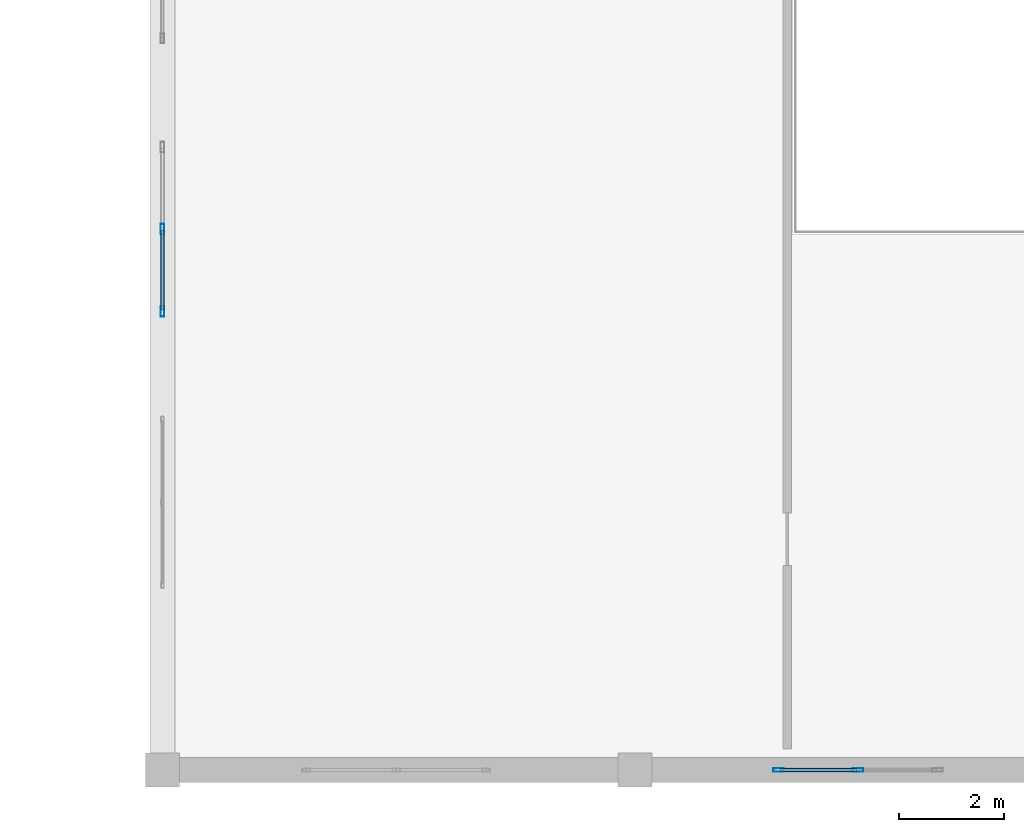
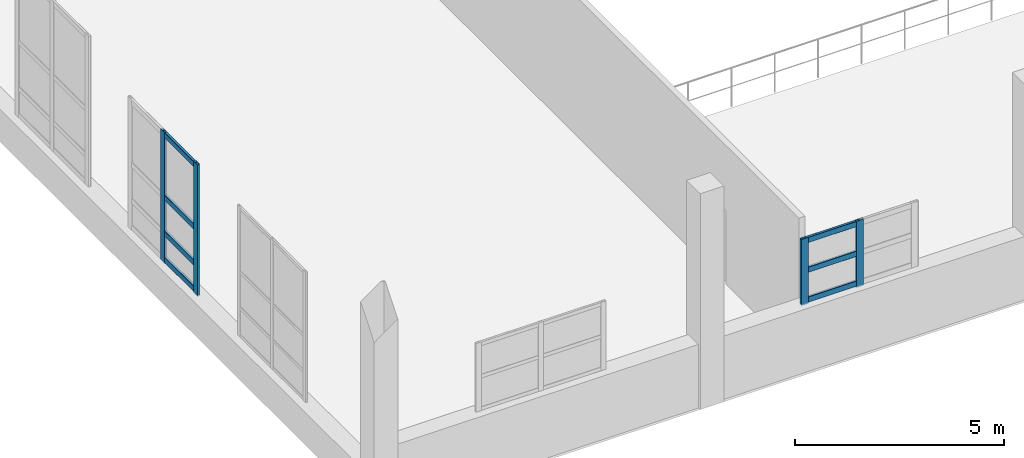
# One storey, part 10 of 197: 11 members, 2 elements without a shape of their own.
"""IFC4 building model written with IfcOpenShell, lengths in metres."""

from ifc_helpers import new_model, si_unit, derived_unit, direction, frame, origin, origin_2d, place, context, subcontext, project, spatial, hollow_rectangle, extrude, material, layer, layer_set, material_profile, profile_set, type_object, element, aggregate, save


model = new_model("IFC4")

# Units and contexts
model_context = context("Model", 3, precision=1e-05, world=origin(), true_north=direction((0.0, 1.0)))
body_context = subcontext(model_context, "Body", "Model", "MODEL_VIEW")
ifc_project = project(units=[si_unit("LENGTHUNIT", "METRE"), si_unit("AREAUNIT", "SQUARE_METRE"), si_unit("VOLUMEUNIT", "CUBIC_METRE"), si_unit("PLANEANGLEUNIT", "RADIAN"), si_unit("MASSUNIT", "GRAM", prefix="KILO"), derived_unit("THERMALTRANSMITTANCEUNIT", [(si_unit("POWERUNIT", "WATT"), 1), (si_unit("LENGTHUNIT", "METRE"), -2), (si_unit("THERMODYNAMICTEMPERATUREUNIT", "KELVIN"), -1)])], contexts=[model_context])

# Site, building, storey
site_placement = place(None, origin())
site = spatial("IfcSite", under=ifc_project, at=site_placement, CompositionType="ELEMENT")
building_placement = place(site_placement, origin())
building = spatial("IfcBuilding", under=site, at=building_placement, Name="Almenara Railside Exhibition Hall", CompositionType="ELEMENT")
storey_placement = place(building_placement, frame((0.0, 0.0, 5.39990234375)))
storey = spatial("IfcBuildingStorey", under=building, at=storey_placement, Name="L01", CompositionType="ELEMENT", Elevation=5.39990234375)

# Curtain wall, members
ifc_material_1 = material(Name="Bronze-anodised aluminium and low-E double glazing", Category="aluminium")
ifc_layer_1 = layer(ifc_material_1, 0.179931640625, Name="Bronze-anodised aluminium and low-E double glazing")
ifc_layer_set_1 = layer_set([ifc_layer_1], Name="Bronze-anodised aluminium and low-E double glazing")
curtain_wall_type_1 = type_object("IfcCurtainWallType", Name="Plenary Clerestory Curtain Wall 3100x1900", PredefinedType="NOTDEFINED", material=ifc_layer_set_1)
curtain_wall_1_placement = place(storey_placement, origin())
curtain_wall_1 = element("IfcCurtainWall", 1, at=curtain_wall_1_placement, inside=storey, type_object=curtain_wall_type_1, Name="Curtain wall CW-CL6-095", PredefinedType="NOTDEFINED")
ifc_material_2 = material(Name="Bronze-anodised aluminium", Category="aluminium")
ifc_material_profile_1 = material_profile(ifc_material_2, hollow_rectangle(XDim=0.070068359375, YDim=0.199951171875, WallThickness=0.00439453125, InnerFilletRadius=0.00439453125, OuterFilletRadius=0.009033203125, at=origin_2d()), Name="ALU-MUL 70x200x4.5")
ifc_profile_set_1 = profile_set([ifc_material_profile_1], Name="Bronze-anodised aluminium")
member_type_1 = type_object("IfcMemberType", Name="Curtain Wall Mullion 70x200x4.5", PredefinedType="MULLION", material=ifc_profile_set_1)
member_1_placement = place(storey_placement, frame((14.735107421875, 0.0, 1.815185546875), z_axis=(0.0, 0.0, 1.0), x_axis=(0.0, 1.0, 0.0)))
member_1 = element("IfcMember", 2, at=member_1_placement, type_object=member_type_1, Name="CW-CL6-095 mullion 1", PredefinedType="MULLION", context=body_context, shape_type="SweptSolid", body=[
    extrude(hollow_rectangle(XDim=0.070068359375, YDim=0.199951171875, WallThickness=0.00439453125, InnerFilletRadius=0.00439453125, OuterFilletRadius=0.009033203125, at=origin_2d()), origin(), (0.0, 0.0, 1.0), 1.934814453125),
])
member_2_placement = place(storey_placement, frame((16.25, 0.0, 1.815185546875), z_axis=(0.0, 0.0, 1.0), x_axis=(0.0, 1.0, 0.0)))
member_2 = element("IfcMember", 3, at=member_2_placement, type_object=member_type_1, Name="CW-CL6-095 mullion 2", PredefinedType="MULLION", context=body_context, shape_type="SweptSolid", body=[
    extrude(hollow_rectangle(XDim=0.070068359375, YDim=0.199951171875, WallThickness=0.00439453125, InnerFilletRadius=0.00439453125, OuterFilletRadius=0.009033203125, at=origin_2d()), origin(), (0.0, 0.0, 1.0), 1.934814453125),
])

ifc_layer_2 = layer(ifc_material_1, 0.179931640625, Name="Bronze-anodised aluminium and low-E double glazing")
ifc_layer_set_2 = layer_set([ifc_layer_2], Name="Bronze-anodised aluminium and low-E double glazing")
curtain_wall_type_2 = type_object("IfcCurtainWallType", Name="Scroll Gable Side Curtain Wall 3200x3800", PredefinedType="NOTDEFINED", material=ifc_layer_set_2)
curtain_wall_2_placement = place(storey_placement, origin())
curtain_wall_2 = element("IfcCurtainWall", 4, at=curtain_wall_2_placement, inside=storey, type_object=curtain_wall_type_2, Name="Curtain wall CW-G4-108", PredefinedType="NOTDEFINED")
member_3_placement = place(storey_placement, frame((3.0, 8.735107421875, 0.9150390625), z_axis=(0.0, 0.0, 1.0), x_axis=(-1.0, 0.0, 0.0)))
member_3 = element("IfcMember", 5, at=member_3_placement, type_object=member_type_1, Name="CW-G4-108 mullion 1", PredefinedType="MULLION", context=body_context, shape_type="SweptSolid", body=[
    extrude(hollow_rectangle(XDim=0.070068359375, YDim=0.199951171875, WallThickness=0.00439453125, InnerFilletRadius=0.00439453125, OuterFilletRadius=0.009033203125, at=origin_2d()), origin(), (0.0, 0.0, 1.0), 3.8349609375),
])
member_4_placement = place(storey_placement, frame((3.0, 10.300048828125, 0.9150390625), z_axis=(0.0, 0.0, 1.0), x_axis=(-1.0, 0.0, 0.0)))
member_4 = element("IfcMember", 6, at=member_4_placement, type_object=member_type_1, Name="CW-G4-108 mullion 2", PredefinedType="MULLION", context=body_context, shape_type="SweptSolid", body=[
    extrude(hollow_rectangle(XDim=0.070068359375, YDim=0.199951171875, WallThickness=0.00439453125, InnerFilletRadius=0.00439453125, OuterFilletRadius=0.009033203125, at=origin_2d()), origin(), (0.0, 0.0, 1.0), 3.8349609375),
])

# Member
ifc_material_profile_2 = material_profile(ifc_material_2, hollow_rectangle(XDim=0.070068359375, YDim=0.159912109375, WallThickness=0.00390625, InnerFilletRadius=0.00390625, OuterFilletRadius=0.008056640625, at=origin_2d()), Name="ALU-TRN 70x160x4")
ifc_profile_set_2 = profile_set([ifc_material_profile_2], Name="Bronze-anodised aluminium")
member_type_2 = type_object("IfcMemberType", Name="Curtain Wall Transom 70x160x4", PredefinedType="USERDEFINED", material=ifc_profile_set_2)
member_5_placement = place(storey_placement, frame((14.761962890625, 0.0, 1.93017578125), z_axis=(1.0, 0.0, 0.0), x_axis=(0.0, 1.0, 0.0)))
member_5 = element("IfcMember", 7, at=member_5_placement, type_object=member_type_2, Name="CW-CL6-095 transom 1.1", ObjectType="TRANSOM", PredefinedType="USERDEFINED", context=body_context, shape_type="SweptSolid", body=[
    extrude(hollow_rectangle(XDim=0.070068359375, YDim=0.159912109375, WallThickness=0.00390625, InnerFilletRadius=0.00390625, OuterFilletRadius=0.008056640625, at=origin_2d()), origin(), (0.0, 0.0, 1.0), 1.4609375),
])

member_6_placement = place(storey_placement, frame((14.761962890625, 0.0, 2.800048828125), z_axis=(1.0, 0.0, 0.0), x_axis=(0.0, 1.0, 0.0)))
member_6 = element("IfcMember", 8, at=member_6_placement, type_object=member_type_2, Name="CW-CL6-095 transom 1.2", ObjectType="TRANSOM", PredefinedType="USERDEFINED", context=body_context, shape_type="SweptSolid", body=[
    extrude(hollow_rectangle(XDim=0.070068359375, YDim=0.159912109375, WallThickness=0.00390625, InnerFilletRadius=0.00390625, OuterFilletRadius=0.008056640625, at=origin_2d()), origin(), (0.0, 0.0, 1.0), 1.4609375),
])

member_7_placement = place(storey_placement, frame((14.761962890625, 0.0, 3.670166015625), z_axis=(1.0, 0.0, 0.0), x_axis=(0.0, 1.0, 0.0)))
member_7 = element("IfcMember", 9, at=member_7_placement, type_object=member_type_2, Name="CW-CL6-095 transom 1.3", ObjectType="TRANSOM", PredefinedType="USERDEFINED", context=body_context, shape_type="SweptSolid", body=[
    extrude(hollow_rectangle(XDim=0.070068359375, YDim=0.159912109375, WallThickness=0.00390625, InnerFilletRadius=0.00390625, OuterFilletRadius=0.008056640625, at=origin_2d()), origin(), (0.0, 0.0, 1.0), 1.4609375),
])

aggregate(curtain_wall_1, [member_1, member_2, member_5, member_6, member_7])

member_8_placement = place(storey_placement, frame((3.0, 8.761962890625, 1.030029296875), z_axis=(0.0, 1.0, 0.0), x_axis=(-1.0, 0.0, 0.0)))
member_8 = element("IfcMember", 10, at=member_8_placement, type_object=member_type_2, Name="CW-G4-108 transom 1.1", ObjectType="TRANSOM", PredefinedType="USERDEFINED", context=body_context, shape_type="SweptSolid", body=[
    extrude(hollow_rectangle(XDim=0.070068359375, YDim=0.159912109375, WallThickness=0.00390625, InnerFilletRadius=0.00390625, OuterFilletRadius=0.008056640625, at=origin_2d()), origin(), (0.0, 0.0, 1.0), 1.510986328125),
])

member_9_placement = place(storey_placement, frame((3.0, 8.761962890625, 1.800048828125), z_axis=(0.0, 1.0, 0.0), x_axis=(-1.0, 0.0, 0.0)))
member_9 = element("IfcMember", 11, at=member_9_placement, type_object=member_type_2, Name="CW-G4-108 transom 1.2", ObjectType="TRANSOM", PredefinedType="USERDEFINED", context=body_context, shape_type="SweptSolid", body=[
    extrude(hollow_rectangle(XDim=0.070068359375, YDim=0.159912109375, WallThickness=0.00390625, InnerFilletRadius=0.00390625, OuterFilletRadius=0.008056640625, at=origin_2d()), origin(), (0.0, 0.0, 1.0), 1.510986328125),
])

member_10_placement = place(storey_placement, frame((3.0, 8.761962890625, 2.85009765625), z_axis=(0.0, 1.0, 0.0), x_axis=(-1.0, 0.0, 0.0)))
member_10 = element("IfcMember", 12, at=member_10_placement, type_object=member_type_2, Name="CW-G4-108 transom 1.3", ObjectType="TRANSOM", PredefinedType="USERDEFINED", context=body_context, shape_type="SweptSolid", body=[
    extrude(hollow_rectangle(XDim=0.070068359375, YDim=0.159912109375, WallThickness=0.00390625, InnerFilletRadius=0.00390625, OuterFilletRadius=0.008056640625, at=origin_2d()), origin(), (0.0, 0.0, 1.0), 1.510986328125),
])

member_11_placement = place(storey_placement, frame((3.0, 8.761962890625, 4.670166015625), z_axis=(0.0, 1.0, 0.0), x_axis=(-1.0, 0.0, 0.0)))
member_11 = element("IfcMember", 13, at=member_11_placement, type_object=member_type_2, Name="CW-G4-108 transom 1.4", ObjectType="TRANSOM", PredefinedType="USERDEFINED", context=body_context, shape_type="SweptSolid", body=[
    extrude(hollow_rectangle(XDim=0.070068359375, YDim=0.159912109375, WallThickness=0.00390625, InnerFilletRadius=0.00390625, OuterFilletRadius=0.008056640625, at=origin_2d()), origin(), (0.0, 0.0, 1.0), 1.510986328125),
])

aggregate(curtain_wall_2, [member_3, member_4, member_8, member_9, member_10, member_11])

save(model, "model.ifc")
